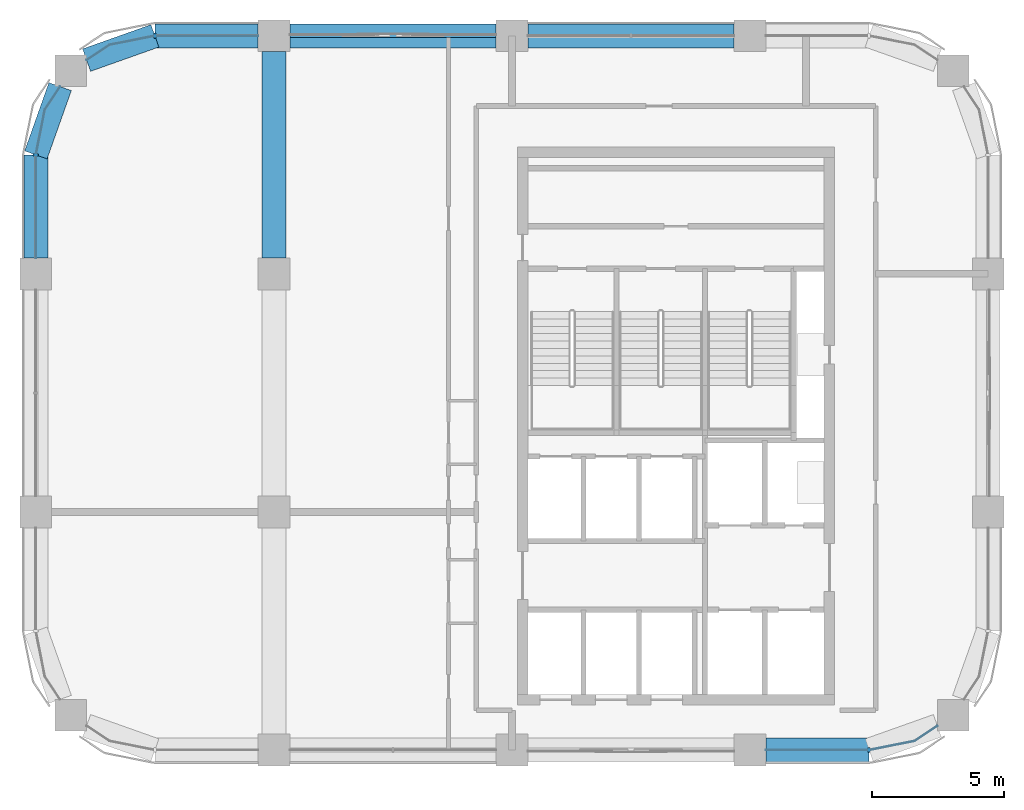
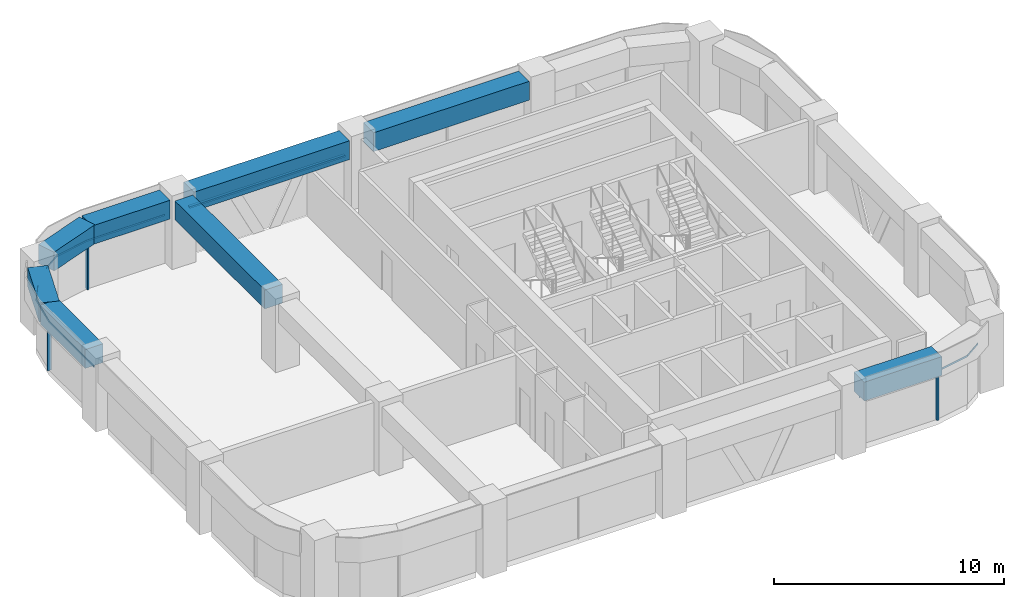
# One storey, part 3 of 9: 8 beams, 7 members, 4 elements without a shape of their own.
"""IFC4 building model written with IfcOpenShell, lengths in metres."""

from ifc_helpers import new_model, si_unit, direction, frame, origin, origin_2d, place, context, subcontext, project, spatial, polyline, rectangle, outline, extrude, material, material_profile, profile_set, type_object, element, aggregate, save


model = new_model("IFC4")

# Units and contexts
model_context = context("Model", 3, precision=1e-05, world=origin(), true_north=direction((0.0, 1.0)))
body_context = subcontext(model_context, "Body", "Model", "MODEL_VIEW")
ifc_project = project(units=[si_unit("LENGTHUNIT", "METRE"), si_unit("AREAUNIT", "SQUARE_METRE"), si_unit("VOLUMEUNIT", "CUBIC_METRE"), si_unit("PLANEANGLEUNIT", "RADIAN"), si_unit("MASSUNIT", "GRAM", prefix="KILO")], contexts=[model_context])

# Site, building, storey
site_placement = place(None, origin())
site = spatial("IfcSite", under=ifc_project, at=site_placement, CompositionType="ELEMENT")
building_placement = place(site_placement, origin())
building = spatial("IfcBuilding", under=site, at=building_placement, Name="Tessera Arch", CompositionType="ELEMENT")
storey_placement = place(building_placement, frame((0.0, 0.0, 273.5)))
storey = spatial("IfcBuildingStorey", under=building, at=storey_placement, Name="L66", CompositionType="ELEMENT", Elevation=273.5)

# Curtain wall, member
ifc_material_1 = material(Name="CW2 curtain wall")
curtain_wall_type_1 = type_object("IfcCurtainWallType", Name="CW2 curtain wall", PredefinedType="NOTDEFINED", material=ifc_material_1)
curtain_wall_1_placement = place(storey_placement, origin())
curtain_wall_1 = element("IfcCurtainWall", 1, at=curtain_wall_1_placement, inside=storey, type_object=curtain_wall_type_1, Name="CW2 curtain wall N54.18/3 L66", PredefinedType="NOTDEFINED")
ifc_material_2 = material(Name="Anodised aluminium pale metal", Category="aluminium")
ifc_material_profile_1 = material_profile(ifc_material_2, rectangle(XDim=0.199951171875, YDim=0.080078125, at=origin_2d()), Name="AL 80x200")
ifc_profile_set_1 = profile_set([ifc_material_profile_1], Name="Anodised aluminium pale metal")
member_type_1 = type_object("IfcMemberType", Name="CW2 mullion", PredefinedType="MULLION", material=ifc_profile_set_1)
member_1_placement = place(storey_placement, frame((22.5, 54.0, 0.0), z_axis=(0.0, 0.0, 1.0), x_axis=(0.0, -1.0, 0.0)))
member_1 = element("IfcMember", 2, at=member_1_placement, type_object=member_type_1, Name="CW2 mullion N54.18/3 1", PredefinedType="MULLION", context=body_context, shape_type="SweptSolid", body=[
    extrude(rectangle(XDim=0.199951171875, YDim=0.080078125, at=origin_2d()), origin(), (0.0, 0.0, 1.0), 2.5),
])

curtain_wall_2_placement = place(storey_placement, origin())
curtain_wall_2 = element("IfcCurtainWall", 3, at=curtain_wall_2_placement, inside=storey, type_object=curtain_wall_type_1, Name="CW2 curtain wall W18.27/0 L66", PredefinedType="NOTDEFINED")
member_2_placement = place(storey_placement, frame((18.0, 49.5, 0.0), z_axis=(0.0, 0.0, 1.0), x_axis=(1.0, 0.0, 0.0)))
member_2 = element("IfcMember", 4, at=member_2_placement, type_object=member_type_1, Name="CW2 mullion W18.27/0 1", PredefinedType="MULLION", context=body_context, shape_type="SweptSolid", body=[
    extrude(rectangle(XDim=0.199951171875, YDim=0.080078125, at=origin_2d()), origin(), (0.0, 0.0, 1.0), 2.5),
])

curtain_wall_3_placement = place(storey_placement, origin())
curtain_wall_3 = element("IfcCurtainWall", 5, at=curtain_wall_3_placement, inside=storey, type_object=curtain_wall_type_1, Name="CW2 curtain wall S27.18/3 L66", PredefinedType="NOTDEFINED")
member_3_placement = place(storey_placement, frame((49.5, 27.0, 0.0), z_axis=(0.0, 0.0, 1.0), x_axis=(0.0, 1.0, 0.0)))
member_3 = element("IfcMember", 6, at=member_3_placement, type_object=member_type_1, Name="CW2 mullion S27.18/3 1", PredefinedType="MULLION", context=body_context, shape_type="SweptSolid", body=[
    extrude(rectangle(XDim=0.199951171875, YDim=0.080078125, at=origin_2d()), origin(), (0.0, 0.0, 1.0), 2.5),
])

# Member
ifc_material_3 = material(Name="Anodised aluminium pale metal", Category="aluminium")
ifc_material_profile_2 = material_profile(ifc_material_3, rectangle(XDim=0.199951171875, YDim=0.10009765625, at=origin_2d()), Name="AL 200x100")
ifc_profile_set_2 = profile_set([ifc_material_profile_2], Name="Anodised aluminium pale metal")
member_type_2 = type_object("IfcMemberType", Name="CW2 transom", PredefinedType="USERDEFINED", material=ifc_profile_set_2)
member_4_placement = place(storey_placement, frame((0.0, 0.0, 2.5)))
member_4 = element("IfcMember", 7, at=member_4_placement, type_object=member_type_2, Name="CW2 transom N54.18/3 1", ObjectType="TRANSOM", PredefinedType="USERDEFINED", context=body_context, shape_type="SweptSolid", body=[
    extrude(outline(polyline([(22.5009765625, 53.989990234375), (26.39990234375, 53.989990234375), (26.39990234375, 54.010009765625), (22.4990234375, 54.010009765625), (20.77392578125, 53.6669921875), (19.912353515625, 53.09130859375), (19.923583984375, 53.07470703125), (20.78173828125, 53.648193359375), (22.5009765625, 53.989990234375)])), origin(), (0.0, 0.0, 1.0), 0.10009765625),
])

aggregate(curtain_wall_1, [member_1, member_4])

member_5_placement = place(storey_placement, frame((0.0, 0.0, 2.5)))
member_5 = element("IfcMember", 8, at=member_5_placement, type_object=member_type_2, Name="CW2 transom W18.27/0 1", ObjectType="TRANSOM", PredefinedType="USERDEFINED", context=body_context, shape_type="SweptSolid", body=[
    extrude(outline(polyline([(18.351806640625, 51.21826171875), (18.92529296875, 52.076416015625), (18.90869140625, 52.087646484375), (18.3330078125, 51.22607421875), (17.989990234375, 49.5009765625), (17.989990234375, 45.60009765625), (18.010009765625, 45.60009765625), (18.010009765625, 49.4990234375), (18.351806640625, 51.21826171875)])), origin(), (0.0, 0.0, 1.0), 0.10009765625),
])

aggregate(curtain_wall_2, [member_2, member_5])

member_6_placement = place(storey_placement, frame((0.0, 0.0, 2.5)))
member_6 = element("IfcMember", 9, at=member_6_placement, type_object=member_type_2, Name="CW2 transom S27.18/3 1", ObjectType="TRANSOM", PredefinedType="USERDEFINED", context=body_context, shape_type="SweptSolid", body=[
    extrude(outline(polyline([(49.4990234375, 27.010009765625), (45.60009765625, 27.010009765625), (45.60009765625, 26.989990234375), (49.5009765625, 26.989990234375), (51.22607421875, 27.3330078125), (52.087646484375, 27.90869140625), (52.076416015625, 27.92529296875), (51.21826171875, 27.351806640625), (49.4990234375, 27.010009765625)])), origin(), (0.0, 0.0, 1.0), 0.10009765625),
])

aggregate(curtain_wall_3, [member_3, member_6])

# Curtain wall, member
ifc_material_4 = material(Name="CW3 curtain wall")
curtain_wall_type_2 = type_object("IfcCurtainWallType", Name="CW3 curtain wall", PredefinedType="NOTDEFINED", material=ifc_material_4)
curtain_wall_4_placement = place(storey_placement, origin())
curtain_wall_4 = element("IfcCurtainWall", 10, at=curtain_wall_4_placement, inside=storey, type_object=curtain_wall_type_2, Name="CW3 curtain wall N54.18/2 L66", PredefinedType="NOTDEFINED")
ifc_material_5 = material(Name="Anodised aluminium pale metal", Category="aluminium")
ifc_material_profile_3 = material_profile(ifc_material_5, rectangle(XDim=0.139892578125, YDim=0.10009765625, at=origin_2d()), Name="AL 140x100")
ifc_profile_set_3 = profile_set([ifc_material_profile_3], Name="Anodised aluminium pale metal")
member_type_3 = type_object("IfcMemberType", Name="CW3 transom", PredefinedType="USERDEFINED", material=ifc_profile_set_3)
member_7_placement = place(storey_placement, frame((35.39990234375, 54.0, 2.550048828125), z_axis=(-1.0, 0.0, 0.0), x_axis=(0.0, -1.0, 0.0)))
member_7 = element("IfcMember", 11, at=member_7_placement, type_object=member_type_3, Name="CW3 transom N54.18/2 1.1", ObjectType="TRANSOM", PredefinedType="USERDEFINED", context=body_context, shape_type="SweptSolid", body=[
    extrude(rectangle(XDim=0.139892578125, YDim=0.10009765625, at=origin_2d()), origin(), (0.0, 0.0, 1.0), 7.7998046875),
])
aggregate(curtain_wall_4, [member_7])

# Beams
ifc_material_6 = material(Name="Concrete C60/75", Category="concrete")
ifc_material_profile_4 = material_profile(ifc_material_6, rectangle(XDim=0.89990234375, YDim=1.0, at=origin_2d()), Name="RC spandrel beam 900 x 1000 Concrete C60/75")
ifc_profile_set_4 = profile_set([ifc_material_profile_4], Name="Concrete C60/75")
beam_type = type_object("IfcBeamType", Name="RC spandrel beam 900 x 1000 Concrete C60/75", PredefinedType="BEAM", material=ifc_profile_set_4)
for number, where, z_axis, x_axis, name in (
    (12, (44.39990234375, 54.0, 3.10009765625), (-1.0, 0.0, 0.0), (0.0, -1.0, 0.0), "Spandrel beam L66 N54.18/1"),
    (13, (35.39990234375, 54.0, 3.10009765625), (-1.0, 0.0, 0.0), (0.0, -1.0, 0.0), "Spandrel beam L66 N54.18/2"),
):
    element("IfcBeam", number, at=place(storey_placement, frame(where, z_axis=z_axis, x_axis=x_axis)), inside=storey, type_object=beam_type, Name=name, PredefinedType="BEAM", context=body_context, shape_type="SweptSolid", body=[
        extrude(rectangle(XDim=0.89990234375, YDim=1.0, at=origin_2d()), origin(), (0.0, 0.0, 1.0), 7.7998046875),
    ])
beam_1_placement = place(storey_placement, frame((26.39990234375, 54.0, 3.10009765625), z_axis=(-1.0, 0.0, 0.0), x_axis=(0.0, -1.0, 0.0)))
element("IfcBeam", 14, at=beam_1_placement, inside=storey, type_object=beam_type, Name="Spandrel beam L66 N54.18/3.1", PredefinedType="BEAM", context=body_context, shape_type="SweptSolid", body=[
    extrude(rectangle(XDim=0.89990234375, YDim=1.0, at=origin_2d()), origin(), (0.0, 0.0, 1.0), 3.89990234375),
])
for number, where, z_axis, x_axis, name in (
    (15, (22.5, 54.0, 3.10009765625), (-0.942337127159, -0.334665114373, 0.0), (0.334665114373, -0.942337127159, 0.0), "Spandrel beam L66 N54.18/3.2"),
    (16, (18.9169921875, 52.08203125, 3.10009765625), (-0.334665114373, -0.942337127159, 0.0), (0.942337127159, -0.334665114373, 0.0), "Spandrel beam L66 W18.27/0.1"),
):
    element("IfcBeam", number, at=place(storey_placement, frame(where, z_axis=z_axis, x_axis=x_axis)), inside=storey, type_object=beam_type, Name=name, PredefinedType="BEAM", context=body_context, shape_type="SweptSolid", body=[
        extrude(rectangle(XDim=0.89990234375, YDim=1.0, at=origin_2d()), origin(), (0.0, 0.0, 1.0), 2.739990234375),
    ])
for number, where, z_axis, x_axis, name in (
    (17, (18.0, 49.5, 3.10009765625), (0.0, -1.0, 0.0), (1.0, 0.0, 0.0), "Spandrel beam L66 W18.27/0.2"),
    (18, (45.60009765625, 27.0, 3.10009765625), (1.0, 0.0, 0.0), (0.0, 1.0, 0.0), "Spandrel beam L66 S27.18/3.1"),
):
    element("IfcBeam", number, at=place(storey_placement, frame(where, z_axis=z_axis, x_axis=x_axis)), inside=storey, type_object=beam_type, Name=name, PredefinedType="BEAM", context=body_context, shape_type="SweptSolid", body=[
        extrude(rectangle(XDim=0.89990234375, YDim=1.0, at=origin_2d()), origin(), (0.0, 0.0, 1.0), 3.89990234375),
    ])
beam_2_placement = place(storey_placement, frame((27.0, 45.60009765625, 3.10009765625), z_axis=(0.0, 1.0, 0.0), x_axis=(-1.0, 0.0, 0.0)))
element("IfcBeam", 19, at=beam_2_placement, inside=storey, type_object=beam_type, Name="Interface beam L66 I0C4F-C4G", PredefinedType="BEAM", context=body_context, shape_type="SweptSolid", body=[
    extrude(rectangle(XDim=0.89990234375, YDim=1.0, at=origin_2d()), origin(), (0.0, 0.0, 1.0), 7.7998046875),
])

save(model, "model.ifc")
